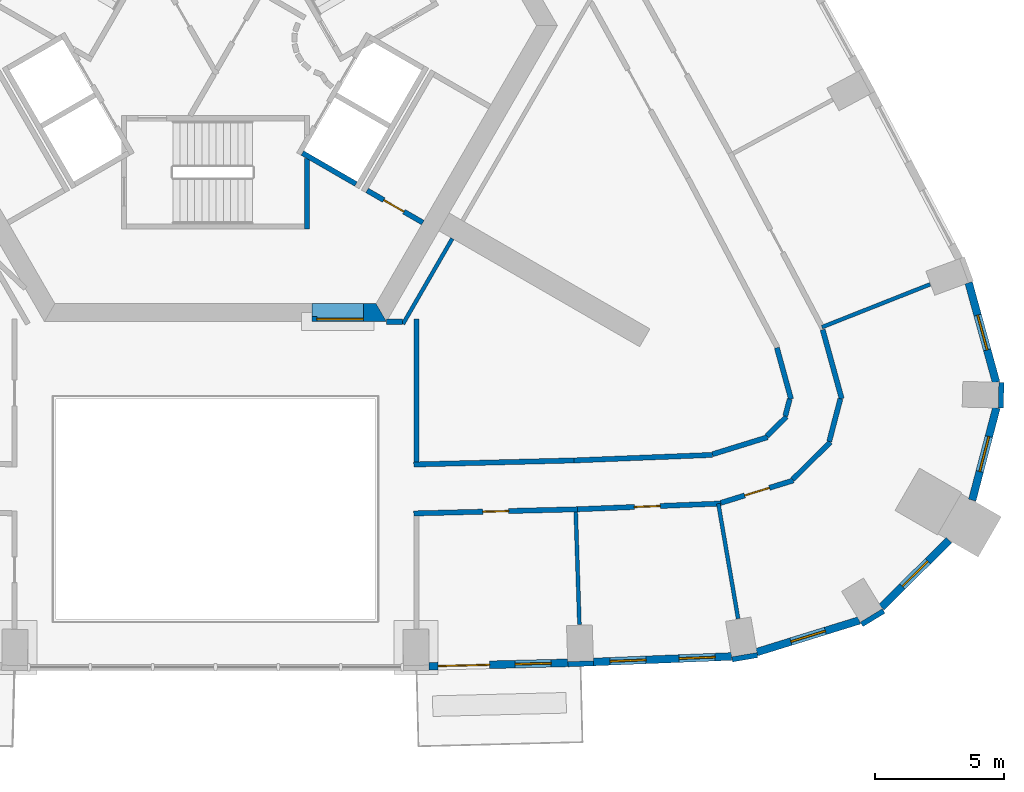
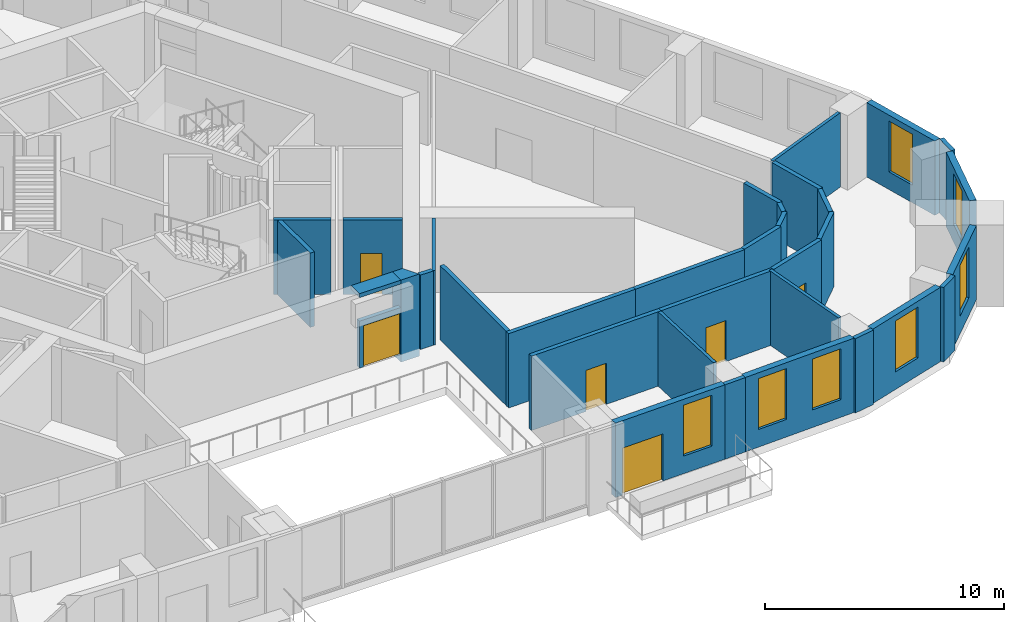
# One storey, part 6 of 11: 34 walls, 7 windows, 6 doors, 13 openings.
"""IFC4 building model written with IfcOpenShell, lengths in metres."""

from ifc_helpers import new_model, si_unit, direction, frame, frame_2d, origin, place, context, subcontext, project, spatial, polyline, rectangle, outline, extrude, material, layer, layer_set, type_object, element, fill, save


model = new_model("IFC4")

# Units and contexts
model_context = context("Model", 3, precision=1e-05, world=origin(), true_north=direction((0.0, 1.0)))
body_context = subcontext(model_context, "Body", "Model", "MODEL_VIEW")
ifc_project = project(units=[si_unit("LENGTHUNIT", "METRE"), si_unit("AREAUNIT", "SQUARE_METRE"), si_unit("VOLUMEUNIT", "CUBIC_METRE"), si_unit("PLANEANGLEUNIT", "RADIAN"), si_unit("MASSUNIT", "GRAM", prefix="KILO")], contexts=[model_context])

# Site, building, storey
site_placement = place(None, origin())
site = spatial("IfcSite", under=ifc_project, at=site_placement, CompositionType="ELEMENT")
building_placement = place(site_placement, origin())
building = spatial("IfcBuilding", under=site, at=building_placement, Name="Entoto Arch Interchange Tower", CompositionType="ELEMENT")
storey_placement = place(building_placement, frame((0.0, 0.0, 206.60009765625)))
storey = spatial("IfcBuildingStorey", under=building, at=storey_placement, Name="L46", CompositionType="ELEMENT", Elevation=206.60009765625)

# Wall, opening, door
ifc_material_1 = material(Name="Reinforced concrete C40/50", Category="concrete")
ifc_layer_1 = layer(ifc_material_1, 0.199951171875)
ifc_layer_set_1 = layer_set([ifc_layer_1], Name="Reinforced concrete C40/50")
wall_type_1 = type_object("IfcWallType", Name="CORE GAP INFILL WALL", PredefinedType="PARTITIONING", material=ifc_layer_set_1)
wall_1_placement = place(storey_placement, frame((3.75, -8.89990234375, 0.0), z_axis=(0.0, 0.0, 1.0), x_axis=(1.0, 0.0, 0.0)))
wall_1 = element("IfcWall", 1, at=wall_1_placement, inside=storey, type_object=wall_type_1, Name="wall:L46:gap1", PredefinedType="PARTITIONING", context=body_context, shape_type="SweptSolid", body=[
    extrude(rectangle(XDim=2.0, YDim=0.199951171875, at=frame_2d((1.0, 0.0))), origin(), (0.0, 0.0, 1.0), 2.39990234375),
])
opening_1_placement = place(wall_1_placement, frame((0.18994140625, 0.0, 0.0)))
opening_1 = element("IfcOpeningElement", 2, at=opening_1_placement, cuts=wall_1, Name="Opening L46-D91", PredefinedType="OPENING", context=body_context, shape_type="SweptSolid", body=[
    extrude(rectangle(XDim=1.800048828125, YDim=2.10009765625, at=frame_2d((0.89990234375, 1.050048828125))), frame((0.0, 0.10986328125, 0.0), z_axis=(0.0, -1.0, 0.0), x_axis=(1.0, 0.0, 0.0)), (0.0, 0.0, 1.0), 0.219970703125),
])
ifc_material_2 = material(Name="Fire-rated Steel S235 door and frame", Category="steel")
door_type_1 = type_object("IfcDoorType", Name="DOOR FD-18 1800x2100", OperationType="DOUBLE_DOOR_SINGLE_SWING", PredefinedType="DOOR", material=ifc_material_2)
door_1_placement = place(opening_1_placement, origin())
door_1 = element("IfcDoor", 3, at=door_1_placement, inside=storey, type_object=door_type_1, Name="door:L46:gap1", OperationType="DOUBLE_DOOR_SINGLE_SWING", OverallHeight=2.10009765625, OverallWidth=1.800048828125, PredefinedType="DOOR", context=body_context, shape_type="SweptSolid", body=[
    extrude(rectangle(XDim=1.800048828125, YDim=2.10009765625, at=frame_2d((0.89990234375, 1.050048828125))), frame((0.0, 0.02490234375, 0.0), z_axis=(0.0, -1.0, 0.0), x_axis=(1.0, 0.0, 0.0)), (0.0, 0.0, 1.0), 0.050048828125),
])
fill(opening_1, door_1)

# Walls
ifc_material_3 = material(Name="Concrete C50/60", Category="concrete")
ifc_layer_2 = layer(ifc_material_3, 0.699951171875)
ifc_layer_set_2 = layer_set([ifc_layer_2], Name="Concrete C50/60")
wall_type_2 = type_object("IfcWallType", Name="Core wall 700 C50/60", PredefinedType="SHEAR", material=ifc_layer_set_2)
wall_2_placement = place(storey_placement, frame((0.0, 0.0, -0.400146484375)))
element("IfcWall", 4, at=wall_2_placement, inside=storey, type_object=wall_type_2, Name="Core wall S L46", PredefinedType="SHEAR", context=body_context, shape_type="SweptSolid", body=[
    extrude(outline(polyline([(5.75, -8.300048828125), (5.75, -9.0), (6.639892578125, -9.0), (6.235107421875, -8.300048828125), (5.75, -8.300048828125)])), origin(), (0.0, 0.0, 1.0), 4.199951171875),
])
wall_3_placement = place(storey_placement, frame((0.0, 0.0, 3.599853515625)))
element("IfcWall", 5, at=wall_3_placement, inside=storey, type_object=wall_type_2, Name="Core wall lintel S L46", PredefinedType="SHEAR", context=body_context, shape_type="SweptSolid", body=[
    extrude(outline(polyline([(5.75, -9.0), (5.75, -8.300048828125), (3.75, -8.300048828125), (3.75, -9.0), (5.75, -9.0)])), origin(), (0.0, 0.0, 1.0), 0.199951171875),
])
ifc_material_4 = material(Name="Concrete C40/50", Category="concrete")
ifc_layer_3 = layer(ifc_material_4, 0.199951171875)
ifc_layer_set_3 = layer_set([ifc_layer_3], Name="Concrete C40/50")
wall_type_3 = type_object("IfcWallType", Name="LIFT SHAFT WALL 200", PredefinedType="STANDARD", material=ifc_layer_set_3)
wall_4_placement = place(storey_placement, frame((3.376953125, -2.451904296875, 0.0), z_axis=(0.0, 0.0, 1.0), x_axis=(0.865955154139, -0.50012165622, 0.0)))
element("IfcWall", 6, at=wall_4_placement, inside=storey, type_object=wall_type_3, Name="Shaft wall SE1 cross 1", PredefinedType="STANDARD", context=body_context, shape_type="SweptSolid", body=[
    extrude(rectangle(XDim=2.39990234375, YDim=0.199951171875, at=frame_2d((1.199951171875, 0.0))), origin(), (0.0, 0.0, 1.0), 3.7998046875),
])
ifc_material_5 = material(Name="Gypsum board partition on steel studs", Category="steel")
ifc_layer_4 = layer(ifc_material_5, 0.14990234375)
ifc_layer_set_4 = layer_set([ifc_layer_4], Name="Gypsum board partition on steel studs")
wall_type_4 = type_object("IfcWallType", Name="PARTITION 150", PredefinedType="PARTITIONING", material=ifc_layer_set_4)
wall_5_placement = place(storey_placement, frame((7.282958984375, -9.0859375, 0.0), z_axis=(0.0, 0.0, 1.0), x_axis=(0.500035303972, 0.866005020067, 0.0)))
element("IfcWall", 7, at=wall_5_placement, inside=storey, type_object=wall_type_4, Name="wall:L46:p078", PredefinedType="PARTITIONING", context=body_context, shape_type="SweptSolid", body=[
    extrude(rectangle(XDim=3.827880859375, YDim=0.14990234375, at=frame_2d((1.9140625, 0.0))), origin(), (0.0, 0.0, 1.0), 3.7998046875),
])
wall_6_placement = place(storey_placement, frame((13.989990234375, -16.385986328125, 0.0), z_axis=(0.0, 0.0, 1.0), x_axis=(0.032438863816, -0.999473721573, 0.0)))
element("IfcWall", 8, at=wall_6_placement, inside=storey, type_object=wall_type_4, Name="wall:L46:p109", PredefinedType="PARTITIONING", context=body_context, shape_type="SweptSolid", body=[
    extrude(rectangle(XDim=4.380126953125, YDim=0.14990234375, at=frame_2d((2.18994140625, 0.0))), origin(), (0.0, 0.0, 1.0), 3.7998046875),
])
wall_7_placement = place(storey_placement, frame((19.527099609375, -16.06494140625, 0.0), z_axis=(0.0, 0.0, 1.0), x_axis=(0.169437821314, -0.985540879268, 0.0)))
element("IfcWall", 9, at=wall_7_placement, inside=storey, type_object=wall_type_4, Name="wall:L46:p110", PredefinedType="PARTITIONING", context=body_context, shape_type="SweptSolid", body=[
    extrude(rectangle(XDim=4.531494140625, YDim=0.14990234375, at=frame_2d((2.265625, 0.0))), origin(), (0.0, 0.0, 1.0), 3.7998046875),
])
wall_8_placement = place(storey_placement, frame((23.552001953125, -9.2119140625, 0.0), z_axis=(0.0, 0.0, 1.0), x_axis=(0.929720624715, 0.368265610639, 0.0)))
element("IfcWall", 10, at=wall_8_placement, inside=storey, type_object=wall_type_4, Name="wall:L46:p111", PredefinedType="PARTITIONING", context=body_context, shape_type="SweptSolid", body=[
    extrude(rectangle(XDim=4.515380859375, YDim=0.14990234375, at=frame_2d((2.2578125, 0.0))), origin(), (0.0, 0.0, 1.0), 3.7998046875),
])
ifc_layer_5 = layer(ifc_material_5, 0.199951171875)
ifc_layer_set_5 = layer_set([ifc_layer_5], Name="Gypsum board partition on steel studs")
wall_type_5 = type_object("IfcWallType", Name="PARTITION 200", PredefinedType="PARTITIONING", material=ifc_layer_set_5)
wall_9_placement = place(storey_placement, frame((7.699951171875, -14.5439453125, 0.0), z_axis=(0.0, 0.0, 1.0), x_axis=(0.99968218628, 0.025209649611, 0.0)))
element("IfcWall", 11, at=wall_9_placement, inside=storey, type_object=wall_type_5, Name="wall:L46:p015", PredefinedType="PARTITIONING", context=body_context, shape_type="SweptSolid", body=[
    extrude(rectangle(XDim=6.22705078125, YDim=0.199951171875, at=frame_2d((3.113525390625, 0.0))), origin(), (0.0, 0.0, 1.0), 3.7998046875),
])
wall_10_placement = place(storey_placement, frame((13.925048828125, -14.386962890625, 0.0), z_axis=(0.0, 0.0, 1.0), x_axis=(0.999202986342, 0.039917315597, 0.0)))
element("IfcWall", 12, at=wall_10_placement, inside=storey, type_object=wall_type_5, Name="wall:L46:p016", PredefinedType="PARTITIONING", context=body_context, shape_type="SweptSolid", body=[
    extrude(rectangle(XDim=5.38232421875, YDim=0.199951171875, at=frame_2d((2.691162109375, 0.0))), origin(), (0.0, 0.0, 1.0), 3.7998046875),
])
wall_11_placement = place(storey_placement, frame((19.299072265625, -14.14697265625, 0.0), z_axis=(0.0, 0.0, 1.0), x_axis=(0.955241047187, 0.295828568211, 0.0)))
element("IfcWall", 13, at=wall_11_placement, inside=storey, type_object=wall_type_5, Name="wall:L46:p017", PredefinedType="PARTITIONING", context=body_context, shape_type="SweptSolid", body=[
    extrude(rectangle(XDim=2.234130859375, YDim=0.199951171875, at=frame_2d((1.1171875, 0.0))), origin(), (0.0, 0.0, 1.0), 3.7998046875),
])
wall_12_placement = place(storey_placement, frame((21.407958984375, -13.445068359375, 0.0), z_axis=(0.0, 0.0, 1.0), x_axis=(0.711298443117, 0.702890122863, 0.0)))
element("IfcWall", 14, at=wall_12_placement, inside=storey, type_object=wall_type_5, Name="wall:L46:p018", PredefinedType="PARTITIONING", context=body_context, shape_type="SweptSolid", body=[
    extrude(rectangle(XDim=1.07421875, YDim=0.199951171875, at=frame_2d((0.537109375, 0.0))), origin(), (0.0, 0.0, 1.0), 3.7998046875),
])
wall_13_placement = place(storey_placement, frame((22.1259765625, -12.6640625, 0.0), z_axis=(0.0, 0.0, 1.0), x_axis=(0.253079435581, 0.967445501972, 0.0)))
element("IfcWall", 15, at=wall_13_placement, inside=storey, type_object=wall_type_5, Name="wall:L46:p019", PredefinedType="PARTITIONING", context=body_context, shape_type="SweptSolid", body=[
    extrude(rectangle(XDim=0.68017578125, YDim=0.199951171875, at=frame_2d((0.340087890625, 0.0))), origin(), (0.0, 0.0, 1.0), 3.7998046875),
])
wall_14_placement = place(storey_placement, frame((22.35009765625, -12.006103515625, 0.0), z_axis=(0.0, 0.0, 1.0), x_axis=(-0.265584627827, 0.964087550725, 0.0)))
element("IfcWall", 16, at=wall_14_placement, inside=storey, type_object=wall_type_5, Name="wall:L46:p020", PredefinedType="PARTITIONING", context=body_context, shape_type="SweptSolid", body=[
    extrude(rectangle(XDim=2.0673828125, YDim=0.199951171875, at=frame_2d((1.03369140625, 0.0))), origin(), (0.0, 0.0, 1.0), 3.7998046875),
])

# Wall, opening, door
wall_15_placement = place(storey_placement, frame((14.06103515625, -16.283935546875, 0.0), z_axis=(0.0, 0.0, 1.0), x_axis=(-0.999679323762, -0.025322907453, 0.0)))
wall_15 = element("IfcWall", 17, at=wall_15_placement, inside=storey, type_object=wall_type_5, Name="wall:L46:p037", PredefinedType="PARTITIONING", context=body_context, shape_type="SweptSolid", body=[
    extrude(rectangle(XDim=6.363037109375, YDim=0.199951171875, at=frame_2d((3.181640625, 0.0))), origin(), (0.0, 0.0, 1.0), 3.7998046875),
])
opening_2_placement = place(wall_15_placement, frame((2.681884765625, 0.0, 0.0)))
opening_2 = element("IfcOpeningElement", 18, at=opening_2_placement, cuts=wall_15, Name="Opening L46-D01", PredefinedType="OPENING", context=body_context, shape_type="SweptSolid", body=[
    extrude(rectangle(XDim=1.0, YDim=2.10009765625, at=frame_2d((0.5, 1.050048828125))), frame((0.0, 0.10986328125, 0.0), z_axis=(0.0, -1.0, 0.0), x_axis=(1.0, 0.0, 0.0)), (0.0, 0.0, 1.0), 0.219970703125),
])
ifc_material_6 = material(Name="Timber door leaf in Steel S235 frame", Category="steel")
door_type_2 = type_object("IfcDoorType", Name="DOOR DS-10 1000x2100", OperationType="SINGLE_SWING_LEFT", PredefinedType="DOOR", material=ifc_material_6)
door_2_placement = place(opening_2_placement, origin())
door_2 = element("IfcDoor", 19, at=door_2_placement, inside=storey, type_object=door_type_2, Name="door:L46:01", OperationType="SINGLE_SWING_LEFT", OverallHeight=2.10009765625, OverallWidth=1.0, PredefinedType="DOOR", context=body_context, shape_type="SweptSolid", body=[
    extrude(rectangle(XDim=1.0, YDim=2.10009765625, at=frame_2d((0.5, 1.050048828125))), frame((0.0, 0.02490234375, 0.0), z_axis=(0.0, -1.0, 0.0), x_axis=(1.0, 0.0, 0.0)), (0.0, 0.0, 1.0), 0.050048828125),
])
fill(opening_2, door_2)

wall_16_placement = place(storey_placement, frame((19.626953125, -16.06103515625, 0.0), z_axis=(0.0, 0.0, 1.0), x_axis=(-0.999206061563, -0.039840262741, 0.0)))
wall_16 = element("IfcWall", 20, at=wall_16_placement, inside=storey, type_object=wall_type_5, Name="wall:L46:p038", PredefinedType="PARTITIONING", context=body_context, shape_type="SweptSolid", body=[
    extrude(rectangle(XDim=5.5703125, YDim=0.199951171875, at=frame_2d((2.78515625, 0.0))), origin(), (0.0, 0.0, 1.0), 3.7998046875),
])
opening_3_placement = place(wall_16_placement, frame((2.360107421875, 0.0, 0.0)))
opening_3 = element("IfcOpeningElement", 21, at=opening_3_placement, cuts=wall_16, Name="Opening L46-D02", PredefinedType="OPENING", context=body_context, shape_type="SweptSolid", body=[
    extrude(rectangle(XDim=1.0, YDim=2.10009765625, at=frame_2d((0.5, 1.050048828125))), frame((0.0, 0.10986328125, 0.0), z_axis=(0.0, -1.0, 0.0), x_axis=(1.0, 0.0, 0.0)), (0.0, 0.0, 1.0), 0.219970703125),
])
door_3_placement = place(opening_3_placement, origin())
door_3 = element("IfcDoor", 22, at=door_3_placement, inside=storey, type_object=door_type_2, Name="door:L46:02", OperationType="SINGLE_SWING_LEFT", OverallHeight=2.10009765625, OverallWidth=1.0, PredefinedType="DOOR", context=body_context, shape_type="SweptSolid", body=[
    extrude(rectangle(XDim=1.0, YDim=2.10009765625, at=frame_2d((0.5, 1.050048828125))), frame((0.0, 0.02490234375, 0.0), z_axis=(0.0, -1.0, 0.0), x_axis=(1.0, 0.0, 0.0)), (0.0, 0.0, 1.0), 0.050048828125),
])
fill(opening_3, door_3)

# Walls
wall_17_placement = place(storey_placement, frame((23.577880859375, -9.30908203125, 0.0), z_axis=(0.0, 0.0, 1.0), x_axis=(0.265884037198, -0.964005020092, 0.0)))
element("IfcWall", 23, at=wall_17_placement, inside=storey, type_object=wall_type_5, Name="wall:L46:p039", PredefinedType="PARTITIONING", context=body_context, shape_type="SweptSolid", body=[
    extrude(rectangle(XDim=2.783935546875, YDim=0.199951171875, at=frame_2d((1.39208984375, 0.0))), origin(), (0.0, 0.0, 1.0), 3.7998046875),
])
wall_18_placement = place(storey_placement, frame((24.26611328125, -11.992919921875, 0.0), z_axis=(0.0, 0.0, 1.0), x_axis=(-0.253025690571, -0.967459559832, 0.0)))
element("IfcWall", 24, at=wall_18_placement, inside=storey, type_object=wall_type_5, Name="wall:L46:p040", PredefinedType="PARTITIONING", context=body_context, shape_type="SweptSolid", body=[
    extrude(rectangle(XDim=1.711669921875, YDim=0.199951171875, at=frame_2d((0.85595703125, 0.0))), origin(), (0.0, 0.0, 1.0), 3.7998046875),
])
wall_19_placement = place(storey_placement, frame((23.8779296875, -13.675048828125, 0.0), z_axis=(0.0, 0.0, 1.0), x_axis=(-0.710949827962, -0.703242733429, 0.0)))
element("IfcWall", 25, at=wall_19_placement, inside=storey, type_object=wall_type_5, Name="wall:L46:p041", PredefinedType="PARTITIONING", context=body_context, shape_type="SweptSolid", body=[
    extrude(rectangle(XDim=2.05908203125, YDim=0.199951171875, at=frame_2d((1.029541015625, 0.0))), origin(), (0.0, 0.0, 1.0), 3.7998046875),
])

# Wall, opening, door
wall_20_placement = place(storey_placement, frame((22.43798828125, -15.1630859375, 0.0), z_axis=(0.0, 0.0, 1.0), x_axis=(-0.955234616163, -0.295849333419, 0.0)))
wall_20 = element("IfcWall", 26, at=wall_20_placement, inside=storey, type_object=wall_type_5, Name="wall:L46:p042", PredefinedType="PARTITIONING", context=body_context, shape_type="SweptSolid", body=[
    extrude(rectangle(XDim=2.94677734375, YDim=0.199951171875, at=frame_2d((1.473388671875, 0.0))), origin(), (0.0, 0.0, 1.0), 3.7998046875),
])
opening_4_placement = place(wall_20_placement, frame((0.97412109375, 0.0, 0.0)))
opening_4 = element("IfcOpeningElement", 27, at=opening_4_placement, cuts=wall_20, Name="Opening L46-D03", PredefinedType="OPENING", context=body_context, shape_type="SweptSolid", body=[
    extrude(rectangle(XDim=1.0, YDim=2.10009765625, at=frame_2d((0.5, 1.050048828125))), frame((0.0, 0.10986328125, 0.0), z_axis=(0.0, -1.0, 0.0), x_axis=(1.0, 0.0, 0.0)), (0.0, 0.0, 1.0), 0.219970703125),
])
door_4_placement = place(opening_4_placement, origin())
door_4 = element("IfcDoor", 28, at=door_4_placement, inside=storey, type_object=door_type_2, Name="door:L46:03", OperationType="SINGLE_SWING_LEFT", OverallHeight=2.10009765625, OverallWidth=1.0, PredefinedType="DOOR", context=body_context, shape_type="SweptSolid", body=[
    extrude(rectangle(XDim=1.0, YDim=2.10009765625, at=frame_2d((0.5, 1.050048828125))), frame((0.0, 0.02490234375, 0.0), z_axis=(0.0, -1.0, 0.0), x_axis=(1.0, 0.0, 0.0)), (0.0, 0.0, 1.0), 0.050048828125),
])
fill(opening_4, door_4)

wall_21_placement = place(storey_placement, frame((8.052978515625, -5.152099609375, 0.0), z_axis=(0.0, 0.0, 1.0), x_axis=(-0.866022959057, 0.500004234368, 0.0)))
wall_21 = element("IfcWall", 29, at=wall_21_placement, inside=storey, type_object=wall_type_5, Name="wall:L46:p069", PredefinedType="PARTITIONING", context=body_context, shape_type="SweptSolid", body=[
    extrude(rectangle(XDim=2.5, YDim=0.199951171875, at=frame_2d((1.25, 0.0))), origin(), (0.0, 0.0, 1.0), 3.7998046875),
])
opening_5_placement = place(wall_21_placement, frame((0.85009765625, 0.0, 0.0)))
opening_5 = element("IfcOpeningElement", 30, at=opening_5_placement, cuts=wall_21, Name="Opening L46-D30", PredefinedType="OPENING", context=body_context, shape_type="SweptSolid", body=[
    extrude(rectangle(XDim=0.89990234375, YDim=2.10009765625, at=frame_2d((0.449951171875, 1.050048828125))), frame((0.0, 0.10986328125, 0.0), z_axis=(0.0, -1.0, 0.0), x_axis=(1.0, 0.0, 0.0)), (0.0, 0.0, 1.0), 0.219970703125),
])
door_type_3 = type_object("IfcDoorType", Name="DOOR DS-09 900x2100", OperationType="SINGLE_SWING_LEFT", PredefinedType="DOOR", material=ifc_material_6)
door_5_placement = place(opening_5_placement, origin())
door_5 = element("IfcDoor", 31, at=door_5_placement, inside=storey, type_object=door_type_3, Name="door:L46:30", OperationType="SINGLE_SWING_LEFT", OverallHeight=2.10009765625, OverallWidth=0.89990234375, PredefinedType="DOOR", context=body_context, shape_type="SweptSolid", body=[
    extrude(rectangle(XDim=0.89990234375, YDim=2.10009765625, at=frame_2d((0.449951171875, 1.050048828125))), frame((0.0, 0.02490234375, 0.0), z_axis=(0.0, -1.0, 0.0), x_axis=(1.0, 0.0, 0.0)), (0.0, 0.0, 1.0), 0.050048828125),
])
fill(opening_5, door_5)

# Walls
wall_22_placement = place(storey_placement, frame((6.64111328125, -8.9990234375, 0.0), z_axis=(0.0, 0.0, 1.0), x_axis=(1.0, 0.0, 0.0)))
element("IfcWall", 32, at=wall_22_placement, inside=storey, type_object=wall_type_5, Name="wall:L46:p077", PredefinedType="PARTITIONING", context=body_context, shape_type="SweptSolid", body=[
    extrude(rectangle(XDim=0.616943359375, YDim=0.199951171875, at=frame_2d((0.30859375, 0.0))), origin(), (0.0, 0.0, 1.0), 3.7998046875),
])
wall_23_placement = place(storey_placement, frame((7.800048828125, -8.89892578125, 0.0), z_axis=(0.0, 0.0, 1.0), x_axis=(0.0, -1.0, 0.0)))
element("IfcWall", 33, at=wall_23_placement, inside=storey, type_object=wall_type_5, Name="wall:L46:p091", PredefinedType="PARTITIONING", context=body_context, shape_type="SweptSolid", body=[
    extrude(rectangle(XDim=5.5419921875, YDim=0.199951171875, at=frame_2d((2.77099609375, 0.0))), origin(), (0.0, 0.0, 1.0), 3.7998046875),
])
ifc_layer_6 = layer(ifc_material_4, 0.199951171875)
ifc_layer_set_6 = layer_set([ifc_layer_6], Name="Concrete C40/50")
wall_type_6 = type_object("IfcWallType", Name="STAIR ENCLOSURE WALL 200", PredefinedType="STANDARD", material=ifc_layer_set_6)
wall_24_placement = place(storey_placement, frame((3.550048828125, -2.6669921875, 0.0), z_axis=(0.0, 0.0, 1.0), x_axis=(0.0, -1.0, 0.0)))
element("IfcWall", 34, at=wall_24_placement, inside=storey, type_object=wall_type_6, Name="Stair wall ST-S far", PredefinedType="STANDARD", context=body_context, shape_type="SweptSolid", body=[
    extrude(rectangle(XDim=2.73291015625, YDim=0.199951171875, at=frame_2d((1.366455078125, 0.0))), origin(), (0.0, 0.0, 1.0), 3.7998046875),
])

# Wall, openings, door, window
ifc_material_7 = material(Name="Welded tuff (ignimbrite) cladding, warm buff", Category="masonry")
ifc_layer_7 = layer(ifc_material_7, 0.300048828125)
ifc_layer_set_7 = layer_set([ifc_layer_7], Name="Welded tuff (ignimbrite) cladding, warm buff")
wall_type_7 = type_object("IfcWallType", Name="STONE INFILL WALL 300", PredefinedType="STANDARD", material=ifc_layer_set_7)
wall_25_placement = place(storey_placement, frame((8.297119140625, -22.381103515625, 0.0), z_axis=(0.0, 0.0, 1.0), x_axis=(0.999685717988, 0.025069209235, 0.0)))
wall_25 = element("IfcWall", 35, at=wall_25_placement, inside=storey, type_object=wall_type_7, Name="Facade wall S-04 L46", PredefinedType="STANDARD", context=body_context, shape_type="SweptSolid", body=[
    extrude(rectangle(XDim=5.385498046875, YDim=0.300048828125, at=frame_2d((2.69287109375, 0.0))), origin(), (0.0, 0.0, 1.0), 3.7998046875),
])
opening_6_placement = place(wall_25_placement, frame((0.345947265625, 0.0, 0.0)))
opening_6 = element("IfcOpeningElement", 36, at=opening_6_placement, cuts=wall_25, Name="Opening DB-S-04-L46", PredefinedType="OPENING", context=body_context, shape_type="SweptSolid", body=[
    extrude(rectangle(XDim=2.0, YDim=2.39990234375, at=frame_2d((1.0, 1.199951171875))), frame((0.0, 0.16015625, 0.0), z_axis=(0.0, -1.0, 0.0), x_axis=(1.0, 0.0, 0.0)), (0.0, 0.0, 1.0), 0.320068359375),
])
opening_7_placement = place(wall_25_placement, frame((3.339111328125, 0.0, 0.89990234375)))
opening_7 = element("IfcOpeningElement", 37, at=opening_7_placement, cuts=wall_25, Name="Opening WO-B", PredefinedType="OPENING", context=body_context, shape_type="SweptSolid", body=[
    extrude(rectangle(XDim=1.39990234375, YDim=2.60009765625, at=frame_2d((0.699951171875, 1.300048828125))), frame((0.0, 0.16015625, 0.0), z_axis=(0.0, -1.0, 0.0), x_axis=(1.0, 0.0, 0.0)), (0.0, 0.0, 1.0), 0.320068359375),
])
ifc_material_8 = material(Name="Aluminium and clear glass, anodised", Category="aluminium")
door_type_4 = type_object("IfcDoorType", Name="BALCONY DOOR DB 2000x2400", OperationType="SLIDING_TO_LEFT", PredefinedType="DOOR", material=ifc_material_8)
door_6_placement = place(opening_6_placement, origin())
door_6 = element("IfcDoor", 38, at=door_6_placement, inside=storey, type_object=door_type_4, Name="Balcony door S-04 L46", OperationType="SLIDING_TO_LEFT", OverallHeight=2.39990234375, OverallWidth=2.0, PredefinedType="DOOR", context=body_context, shape_type="SweptSolid", body=[
    extrude(rectangle(XDim=2.0, YDim=2.39990234375, at=frame_2d((1.0, 1.199951171875))), frame((0.0, 0.02490234375, 0.0), z_axis=(0.0, -1.0, 0.0), x_axis=(1.0, 0.0, 0.0)), (0.0, 0.0, 1.0), 0.050048828125),
])
fill(opening_6, door_6)
ifc_material_9 = material(Name="Clear glass, low-e double glazed", Category="glass")
window_type = type_object("IfcWindowType", Name="WINDOW WO-B 1400x2600", PartitioningType="DOUBLE_PANEL_VERTICAL", PredefinedType="WINDOW", material=ifc_material_9)
window_1_placement = place(opening_7_placement, origin())
window_1 = element("IfcWindow", 39, at=window_1_placement, inside=storey, type_object=window_type, Name="Window WO-B S-04 L46", OverallHeight=2.60009765625, OverallWidth=1.39990234375, PartitioningType="SINGLE_PANEL", PredefinedType="WINDOW", context=body_context, shape_type="SweptSolid", body=[
    extrude(rectangle(XDim=1.39990234375, YDim=2.60009765625, at=frame_2d((0.699951171875, 1.300048828125))), frame((0.0, 0.030029296875, 0.0), z_axis=(0.0, -1.0, 0.0), x_axis=(1.0, 0.0, 0.0)), (0.0, 0.0, 1.0), 0.06005859375),
])
fill(opening_7, window_1)

# Wall, openings, windows
wall_26_placement = place(storey_placement, frame((14.678955078125, -22.212890625, 0.0), z_axis=(0.0, 0.0, 1.0), x_axis=(0.999205241612, 0.039860822062, 0.0)))
wall_26 = element("IfcWall", 40, at=wall_26_placement, inside=storey, type_object=wall_type_7, Name="Facade wall S-05 L46", PredefinedType="STANDARD", context=body_context, shape_type="SweptSolid", body=[
    extrude(rectangle(XDim=5.365234375, YDim=0.300048828125, at=frame_2d((2.6826171875, 0.0))), origin(), (0.0, 0.0, 1.0), 3.7998046875),
])
opening_8_placement = place(wall_26_placement, frame((0.64111328125, 0.0, 0.89990234375)))
opening_8 = element("IfcOpeningElement", 41, at=opening_8_placement, cuts=wall_26, Name="Opening WO-B", PredefinedType="OPENING", context=body_context, shape_type="SweptSolid", body=[
    extrude(rectangle(XDim=1.39990234375, YDim=2.60009765625, at=frame_2d((0.699951171875, 1.300048828125))), frame((0.0, 0.16015625, 0.0), z_axis=(0.0, -1.0, 0.0), x_axis=(1.0, 0.0, 0.0)), (0.0, 0.0, 1.0), 0.320068359375),
])
opening_9_placement = place(wall_26_placement, frame((3.323974609375, 0.0, 0.89990234375)))
opening_9 = element("IfcOpeningElement", 42, at=opening_9_placement, cuts=wall_26, Name="Opening WO-B", PredefinedType="OPENING", context=body_context, shape_type="SweptSolid", body=[
    extrude(rectangle(XDim=1.39990234375, YDim=2.60009765625, at=frame_2d((0.699951171875, 1.300048828125))), frame((0.0, 0.16015625, 0.0), z_axis=(0.0, -1.0, 0.0), x_axis=(1.0, 0.0, 0.0)), (0.0, 0.0, 1.0), 0.320068359375),
])
window_2_placement = place(opening_8_placement, origin())
window_2 = element("IfcWindow", 43, at=window_2_placement, inside=storey, type_object=window_type, Name="Window WO-B S-05 L46", OverallHeight=2.60009765625, OverallWidth=1.39990234375, PartitioningType="SINGLE_PANEL", PredefinedType="WINDOW", context=body_context, shape_type="SweptSolid", body=[
    extrude(rectangle(XDim=1.39990234375, YDim=2.60009765625, at=frame_2d((0.699951171875, 1.300048828125))), frame((0.0, 0.030029296875, 0.0), z_axis=(0.0, -1.0, 0.0), x_axis=(1.0, 0.0, 0.0)), (0.0, 0.0, 1.0), 0.06005859375),
])
fill(opening_8, window_2)
window_3_placement = place(opening_9_placement, origin())
window_3 = element("IfcWindow", 44, at=window_3_placement, inside=storey, type_object=window_type, Name="Window WO-B S-05 L46", OverallHeight=2.60009765625, OverallWidth=1.39990234375, PartitioningType="SINGLE_PANEL", PredefinedType="WINDOW", context=body_context, shape_type="SweptSolid", body=[
    extrude(rectangle(XDim=1.39990234375, YDim=2.60009765625, at=frame_2d((0.699951171875, 1.300048828125))), frame((0.0, 0.030029296875, 0.0), z_axis=(0.0, -1.0, 0.0), x_axis=(1.0, 0.0, 0.0)), (0.0, 0.0, 1.0), 0.06005859375),
])
fill(opening_9, window_3)

# Wall, opening, window
wall_27_placement = place(storey_placement, frame((21.02392578125, -21.830078125, 0.0), z_axis=(0.0, 0.0, 1.0), x_axis=(0.955247215067, 0.295808651171, 0.0)))
wall_27 = element("IfcWall", 45, at=wall_27_placement, inside=storey, type_object=wall_type_7, Name="Facade wall SE-01 L46", PredefinedType="STANDARD", context=body_context, shape_type="SweptSolid", body=[
    extrude(rectangle(XDim=4.161376953125, YDim=0.300048828125, at=frame_2d((2.08056640625, 0.0))), origin(), (0.0, 0.0, 1.0), 3.7998046875),
])
opening_10_placement = place(wall_27_placement, frame((1.381103515625, 0.0, 0.89990234375)))
opening_10 = element("IfcOpeningElement", 46, at=opening_10_placement, cuts=wall_27, Name="Opening WO-B", PredefinedType="OPENING", context=body_context, shape_type="SweptSolid", body=[
    extrude(rectangle(XDim=1.39990234375, YDim=2.60009765625, at=frame_2d((0.699951171875, 1.300048828125))), frame((0.0, 0.16015625, 0.0), z_axis=(0.0, -1.0, 0.0), x_axis=(1.0, 0.0, 0.0)), (0.0, 0.0, 1.0), 0.320068359375),
])
window_4_placement = place(opening_10_placement, origin())
window_4 = element("IfcWindow", 47, at=window_4_placement, inside=storey, type_object=window_type, Name="Window WO-B SE-01 L46", OverallHeight=2.60009765625, OverallWidth=1.39990234375, PartitioningType="SINGLE_PANEL", PredefinedType="WINDOW", context=body_context, shape_type="SweptSolid", body=[
    extrude(rectangle(XDim=1.39990234375, YDim=2.60009765625, at=frame_2d((0.699951171875, 1.300048828125))), frame((0.0, 0.030029296875, 0.0), z_axis=(0.0, -1.0, 0.0), x_axis=(1.0, 0.0, 0.0)), (0.0, 0.0, 1.0), 0.06005859375),
])
fill(opening_10, window_4)

wall_28_placement = place(storey_placement, frame((25.85498046875, -20.0869140625, 0.0), z_axis=(0.0, 0.0, 1.0), x_axis=(0.711316812334, 0.702871533419, 0.0)))
wall_28 = element("IfcWall", 48, at=wall_28_placement, inside=storey, type_object=wall_type_7, Name="Facade wall SE-02 L46", PredefinedType="STANDARD", context=body_context, shape_type="SweptSolid", body=[
    extrude(rectangle(XDim=3.7001953125, YDim=0.300048828125, at=frame_2d((1.85009765625, 0.0))), origin(), (0.0, 0.0, 1.0), 3.7998046875),
])
opening_11_placement = place(wall_28_placement, frame((1.14990234375, 0.0, 0.89990234375)))
opening_11 = element("IfcOpeningElement", 49, at=opening_11_placement, cuts=wall_28, Name="Opening WO-B", PredefinedType="OPENING", context=body_context, shape_type="SweptSolid", body=[
    extrude(rectangle(XDim=1.39990234375, YDim=2.60009765625, at=frame_2d((0.699951171875, 1.300048828125))), frame((0.0, 0.16015625, 0.0), z_axis=(0.0, -1.0, 0.0), x_axis=(1.0, 0.0, 0.0)), (0.0, 0.0, 1.0), 0.320068359375),
])
window_5_placement = place(opening_11_placement, origin())
window_5 = element("IfcWindow", 50, at=window_5_placement, inside=storey, type_object=window_type, Name="Window WO-B SE-02 L46", OverallHeight=2.60009765625, OverallWidth=1.39990234375, PartitioningType="SINGLE_PANEL", PredefinedType="WINDOW", context=body_context, shape_type="SweptSolid", body=[
    extrude(rectangle(XDim=1.39990234375, YDim=2.60009765625, at=frame_2d((0.699951171875, 1.300048828125))), frame((0.0, 0.030029296875, 0.0), z_axis=(0.0, -1.0, 0.0), x_axis=(1.0, 0.0, 0.0)), (0.0, 0.0, 1.0), 0.06005859375),
])
fill(opening_11, window_5)

wall_29_placement = place(storey_placement, frame((29.385986328125, -15.927978515625, 0.0), z_axis=(0.0, 0.0, 1.0), x_axis=(0.253200635583, 0.96741378848, 0.0)))
wall_29 = element("IfcWall", 51, at=wall_29_placement, inside=storey, type_object=wall_type_7, Name="Facade wall SE-03 L46", PredefinedType="STANDARD", context=body_context, shape_type="SweptSolid", body=[
    extrude(rectangle(XDim=3.70068359375, YDim=0.300048828125, at=frame_2d((1.850341796875, 0.0))), origin(), (0.0, 0.0, 1.0), 3.7998046875),
])
opening_12_placement = place(wall_29_placement, frame((1.14990234375, 0.0, 0.89990234375)))
opening_12 = element("IfcOpeningElement", 52, at=opening_12_placement, cuts=wall_29, Name="Opening WO-B", PredefinedType="OPENING", context=body_context, shape_type="SweptSolid", body=[
    extrude(rectangle(XDim=1.39990234375, YDim=2.60009765625, at=frame_2d((0.699951171875, 1.300048828125))), frame((0.0, 0.16015625, 0.0), z_axis=(0.0, -1.0, 0.0), x_axis=(1.0, 0.0, 0.0)), (0.0, 0.0, 1.0), 0.320068359375),
])
window_6_placement = place(opening_12_placement, origin())
window_6 = element("IfcWindow", 53, at=window_6_placement, inside=storey, type_object=window_type, Name="Window WO-B SE-03 L46", OverallHeight=2.60009765625, OverallWidth=1.39990234375, PartitioningType="SINGLE_PANEL", PredefinedType="WINDOW", context=body_context, shape_type="SweptSolid", body=[
    extrude(rectangle(XDim=1.39990234375, YDim=2.60009765625, at=frame_2d((0.699951171875, 1.300048828125))), frame((0.0, 0.030029296875, 0.0), z_axis=(0.0, -1.0, 0.0), x_axis=(1.0, 0.0, 0.0)), (0.0, 0.0, 1.0), 0.06005859375),
])
fill(opening_12, window_6)

wall_30_placement = place(storey_placement, frame((30.31201171875, -11.35009765625, 0.0), z_axis=(0.0, 0.0, 1.0), x_axis=(-0.265534577923, 0.96410133696, 0.0)))
wall_30 = element("IfcWall", 54, at=wall_30_placement, inside=storey, type_object=wall_type_7, Name="Facade wall SE-04 L46", PredefinedType="STANDARD", context=body_context, shape_type="SweptSolid", body=[
    extrude(rectangle(XDim=4.0068359375, YDim=0.300048828125, at=frame_2d((2.00341796875, 0.0))), origin(), (0.0, 0.0, 1.0), 3.7998046875),
])
opening_13_placement = place(wall_30_placement, frame((1.302978515625, 0.0, 0.89990234375)))
opening_13 = element("IfcOpeningElement", 55, at=opening_13_placement, cuts=wall_30, Name="Opening WO-B", PredefinedType="OPENING", context=body_context, shape_type="SweptSolid", body=[
    extrude(rectangle(XDim=1.39990234375, YDim=2.60009765625, at=frame_2d((0.699951171875, 1.300048828125))), frame((0.0, 0.16015625, 0.0), z_axis=(0.0, -1.0, 0.0), x_axis=(1.0, 0.0, 0.0)), (0.0, 0.0, 1.0), 0.320068359375),
])
window_7_placement = place(opening_13_placement, origin())
window_7 = element("IfcWindow", 56, at=window_7_placement, inside=storey, type_object=window_type, Name="Window WO-B SE-04 L46", OverallHeight=2.60009765625, OverallWidth=1.39990234375, PartitioningType="SINGLE_PANEL", PredefinedType="WINDOW", context=body_context, shape_type="SweptSolid", body=[
    extrude(rectangle(XDim=1.39990234375, YDim=2.60009765625, at=frame_2d((0.699951171875, 1.300048828125))), frame((0.0, 0.030029296875, 0.0), z_axis=(0.0, -1.0, 0.0), x_axis=(1.0, 0.0, 0.0)), (0.0, 0.0, 1.0), 0.06005859375),
])
fill(opening_13, window_7)

# Walls
ifc_layer_8 = layer(ifc_material_7, 0.199951171875)
ifc_layer_set_8 = layer_set([ifc_layer_8], Name="Welded tuff (ignimbrite) cladding, warm buff")
wall_type_8 = type_object("IfcWallType", Name="STONE PIER CLADDING 200", PredefinedType="STANDARD", material=ifc_layer_set_8)
wall_31_placement = place(storey_placement, frame((13.681884765625, -22.300048828125, 0.0), z_axis=(0.0, 0.0, 1.0), x_axis=(0.999423561854, 0.033949138587, 0.0)))
element("IfcWall", 57, at=wall_31_placement, inside=storey, type_object=wall_type_8, Name="Stone pier S05 L46", PredefinedType="STANDARD", context=body_context, shape_type="SweptSolid", body=[
    extrude(rectangle(XDim=0.99951171875, YDim=0.199951171875, at=frame_2d((0.499755859375, 0.0))), origin(), (0.0, 0.0, 1.0), 3.7998046875),
])
wall_32_placement = place(storey_placement, frame((20.05908203125, -22.114013671875, 0.0), z_axis=(0.0, 0.0, 1.0), x_axis=(0.985631544579, 0.168909615862, 0.0)))
element("IfcWall", 58, at=wall_32_placement, inside=storey, type_object=wall_type_8, Name="Stone pier S06 L46", PredefinedType="STANDARD", context=body_context, shape_type="SweptSolid", body=[
    extrude(rectangle(XDim=1.000244140625, YDim=0.199951171875, at=frame_2d((0.5, 0.0))), origin(), (0.0, 0.0, 1.0), 3.7998046875),
])
wall_33_placement = place(storey_placement, frame((25.092041015625, -20.75390625, 0.0), z_axis=(0.0, 0.0, 1.0), x_axis=(0.853679739553, 0.520798331677, 0.0)))
element("IfcWall", 59, at=wall_33_placement, inside=storey, type_object=wall_type_8, Name="Stone pier SE1 L46", PredefinedType="STANDARD", context=body_context, shape_type="SweptSolid", body=[
    extrude(rectangle(XDim=1.00048828125, YDim=0.199951171875, at=frame_2d((0.500244140625, 0.0))), origin(), (0.0, 0.0, 1.0), 3.7998046875),
])
wall_34_placement = place(storey_placement, frame((30.4951171875, -12.35302734375, 0.0), z_axis=(0.0, 0.0, 1.0), x_axis=(0.023942303888, 0.999713341956, 0.0)))
element("IfcWall", 60, at=wall_34_placement, inside=storey, type_object=wall_type_8, Name="Stone pier SE3 L46", PredefinedType="STANDARD", context=body_context, shape_type="SweptSolid", body=[
    extrude(rectangle(XDim=0.999267578125, YDim=0.199951171875, at=frame_2d((0.49951171875, 0.0))), origin(), (0.0, 0.0, 1.0), 3.7998046875),
])

save(model, "model.ifc")
